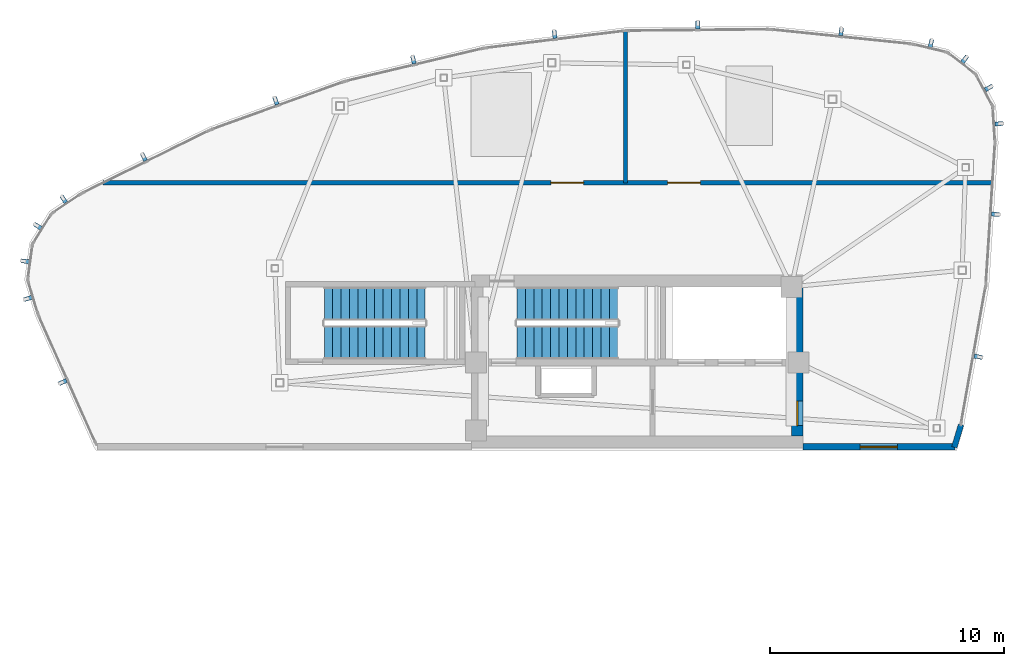
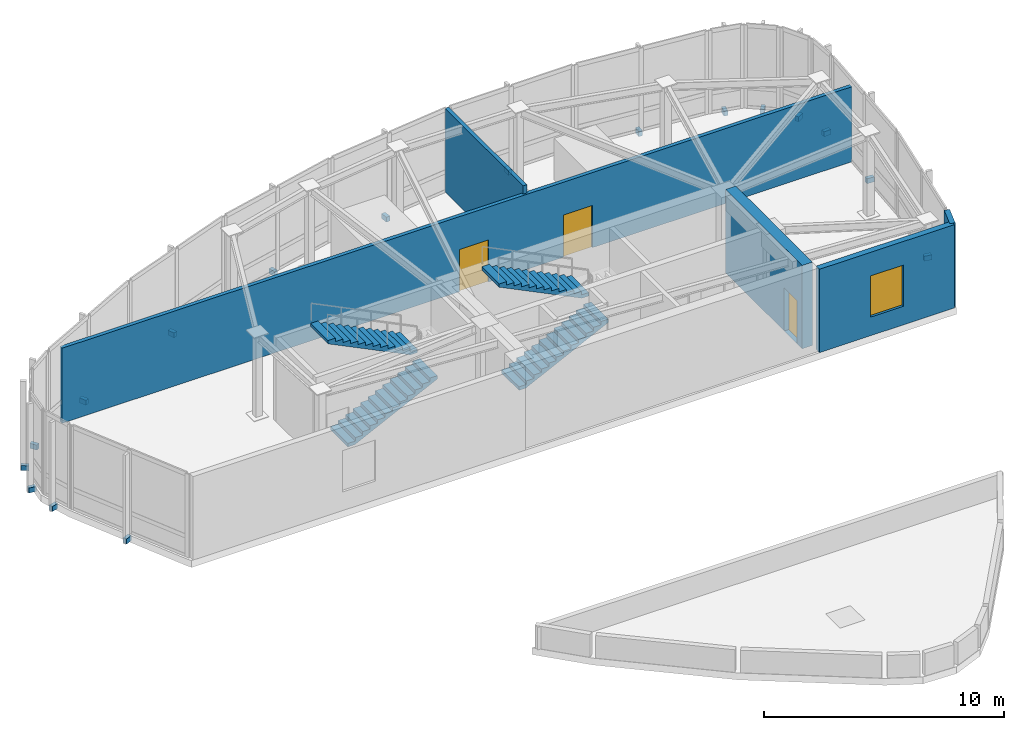
# One storey, part 8 of 11: 17 discrete accessories, 5 walls, 4 stair flights, 3 doors, 1 window, 4 openings, 2 elements without a shape of their own.
"""IFC4 building model written with IfcOpenShell, lengths in metres."""

import ifcopenshell
import ifcopenshell.guid

model = None  # the IFC model being written
_history = None  # IfcOwnerHistory: only IFC2X3 demands one
_inside = {}  # id of a spatial element -> (the spatial element, [elements in it])
_under = {}  # id of a project, library or spatial element -> (it, [spatial elements below it])
_declared = {}  # id of a project -> (the project, [libraries it declares])
_typed = {}  # id of a type object -> (the type object, [elements of that type])
_made_of = {}  # id of a material, layer set ... -> (it, [elements and type objects made of it])


def new_model(schema):
    """Start an empty IFC model of exactly this schema.

    Asked for "IFC4X3", IfcOpenShell would pick the latest addendum, in which some entities
    have other attributes; the version numbers below select the first issue.
    IFC2X3 requires an IfcOwnerHistory on every rooted entity: one is made here for all.
    """
    global model, _history
    if schema == "IFC4X3":
        model = ifcopenshell.file(schema_version=(4, 3, 0, 0))
    else:
        model = ifcopenshell.file(schema=schema)
    _inside.clear()
    _under.clear()
    _declared.clear()
    _typed.clear()
    _made_of.clear()
    _history = None
    if model.schema == "IFC2X3":
        org = make("IfcOrganization", Name="unknown")
        user = make(
            "IfcPersonAndOrganization",
            ThePerson=make("IfcPerson", FamilyName="unknown"),
            TheOrganization=org,
        )
        app = make(
            "IfcApplication",
            ApplicationDeveloper=org,
            Version="unknown",
            ApplicationFullName="unknown",
            ApplicationIdentifier="unknown",
        )
        _history = make(
            "IfcOwnerHistory",
            OwningUser=user,
            OwningApplication=app,
            ChangeAction="ADDED",
            CreationDate=0,
        )
    return model


def make(cls, **values):
    """One entity of the class cls with the attributes given. An attribute that is None is left unset."""
    return model.create_entity(
        cls, **{name: value for name, value in values.items() if value is not None}
    )


def rooted(cls, **values):
    """An entity with a GlobalId (a new one), such as an element, a storey or a relation."""
    return make(cls, GlobalId=ifcopenshell.guid.new(), OwnerHistory=_history, **values)


def si_unit(unit_type, name, prefix=None):
    """IfcSIUnit, for example si_unit("LENGTHUNIT", "METRE", prefix="MILLI")."""
    return make("IfcSIUnit", UnitType=unit_type, Prefix=prefix, Name=name)


def assignment(units):
    """IfcUnitAssignment: the units of a project."""
    return None if units is None else make("IfcUnitAssignment", Units=units)


def point(xyz):
    """IfcCartesianPoint."""
    return None if xyz is None else make("IfcCartesianPoint", Coordinates=xyz)


def direction(xyz):
    """IfcDirection."""
    return None if xyz is None else make("IfcDirection", DirectionRatios=xyz)


def frame(location, z_axis=None, x_axis=None):
    """IfcAxis2Placement3D, a coordinate frame: its origin and axes. An axis left out is left unset."""
    return make(
        "IfcAxis2Placement3D",
        Location=point(location),
        Axis=direction(z_axis),
        RefDirection=direction(x_axis),
    )


def frame_2d(location, x_axis=None):
    """IfcAxis2Placement2D, a coordinate frame in the plane: its origin and x axis."""
    return make(
        "IfcAxis2Placement2D", Location=point(location), RefDirection=direction(x_axis)
    )


def origin():
    """The frame at (0, 0, 0) with its axes left unset."""
    return frame((0.0, 0.0, 0.0))


def origin_2d():
    """The frame at (0, 0) in the plane with its x axis left unset."""
    return frame_2d((0.0, 0.0))


def place(relative_to, where):
    """IfcLocalPlacement: puts the frame where relative to a parent placement (None: the world)."""
    return make(
        "IfcLocalPlacement", PlacementRelTo=relative_to, RelativePlacement=where
    )


def context(
    kind, dimensions, precision=None, world=None, true_north=None, identifier=None
):
    """IfcGeometricRepresentationContext, for example the 3D "Model" context."""
    return make(
        "IfcGeometricRepresentationContext",
        ContextIdentifier=identifier,
        ContextType=kind,
        CoordinateSpaceDimension=dimensions,
        Precision=precision,
        WorldCoordinateSystem=world,
        TrueNorth=true_north,
    )


def subcontext(parent, identifier, kind, view, scale=None):
    """IfcGeometricRepresentationSubContext, for example "Body" below "Model"."""
    return make(
        "IfcGeometricRepresentationSubContext",
        ContextIdentifier=identifier,
        ContextType=kind,
        ParentContext=parent,
        TargetScale=scale,
        TargetView=view,
    )


def project(units=None, contexts=None):
    """IfcProject with its units and contexts."""
    return rooted(
        "IfcProject",
        Name="project",
        RepresentationContexts=contexts,
        UnitsInContext=assignment(units),
    )


def spatial(cls, under=None, at=None, **own):
    """A site, building, storey or space (cls), placed at a placement, below another one or the project."""
    s = rooted(cls, ObjectPlacement=at, **own)
    if under is not None:
        _under.setdefault(under.id(), (under, []))[1].append(s)
    return s


def polyline(points):
    """IfcPolyline through the points."""
    return make("IfcPolyline", Points=[point(p) for p in points])


def profile(cls, at=None, kind="AREA", **sizes):
    """A parametric profile (cls). Its sizes go by their IFC names, for example OverallWidth=200.0."""
    return make(cls, ProfileType=kind, Position=at, **sizes)


def rectangle(**sizes):
    """IfcRectangleProfileDef."""
    return profile("IfcRectangleProfileDef", **sizes)


def outline(outer, holes=None, kind="AREA"):
    """IfcArbitraryClosedProfileDef: a profile drawn as a closed curve; with holes, ...WithVoids."""
    if holes is None:
        return make("IfcArbitraryClosedProfileDef", ProfileType=kind, OuterCurve=outer)
    return make(
        "IfcArbitraryProfileDefWithVoids",
        ProfileType=kind,
        OuterCurve=outer,
        InnerCurves=holes,
    )


def extrude(swept, where, along, depth):
    """IfcExtrudedAreaSolid: the profile swept, set in the frame where, extruded along a direction by depth."""
    return make(
        "IfcExtrudedAreaSolid",
        SweptArea=swept,
        Position=where,
        ExtrudedDirection=direction(along),
        Depth=depth,
    )


def shape(context_of_items, identifier, shape_type, items):
    """IfcShapeRepresentation: the items that make up one representation, for example the "Body"."""
    return make(
        "IfcShapeRepresentation",
        ContextOfItems=context_of_items,
        RepresentationIdentifier=identifier,
        RepresentationType=shape_type,
        Items=items,
    )


def source(mapping_origin, context_of_items, identifier, shape_type, items):
    """IfcRepresentationMap: a shape defined once, which mapped items show again and again."""
    return make(
        "IfcRepresentationMap",
        MappingOrigin=mapping_origin,
        MappedRepresentation=shape(context_of_items, identifier, shape_type, items),
    )


def transform(
    local_origin,
    x_axis=None,
    y_axis=None,
    z_axis=None,
    scale=None,
    scale2=None,
    scale3=None,
    uniform=True,
):
    """IfcCartesianTransformationOperator3D, or its non-uniform kind. x_axis, y_axis, z_axis: its Axis1, 2, 3."""
    if uniform:
        return make(
            "IfcCartesianTransformationOperator3D",
            Axis1=direction(x_axis),
            Axis2=direction(y_axis),
            LocalOrigin=point(local_origin),
            Scale=scale,
            Axis3=direction(z_axis),
        )
    return make(
        "IfcCartesianTransformationOperator3DnonUniform",
        Axis1=direction(x_axis),
        Axis2=direction(y_axis),
        LocalOrigin=point(local_origin),
        Scale=scale,
        Axis3=direction(z_axis),
        Scale2=scale2,
        Scale3=scale3,
    )


def mapped(mapping_source, mapping_target):
    """IfcMappedItem: shows the shape of a source again, moved by a transform."""
    return make(
        "IfcMappedItem", MappingSource=mapping_source, MappingTarget=mapping_target
    )


def material(Name=None, Category=None):
    """IfcMaterial."""
    return make("IfcMaterial", Name=Name, Category=Category)


def layer(
    of_material, thickness, ventilated=None, Name=None, Category=None, Priority=None
):
    """IfcMaterialLayer: one layer of a wall or slab, of a material (None: an air gap)."""
    return make(
        "IfcMaterialLayer",
        Material=of_material,
        LayerThickness=thickness,
        IsVentilated=ventilated,
        Name=Name,
        Category=Category,
        Priority=Priority,
    )


def layer_set(layers, Name=None):
    """IfcMaterialLayerSet."""
    return make("IfcMaterialLayerSet", MaterialLayers=layers, LayerSetName=Name)


def made_of(thing, what):
    """Note that an element or type object is made of a material, layer set ...; save() writes the relation."""
    if what is not None:
        _made_of.setdefault(what.id(), (what, []))[1].append(thing)
    return thing


def type_object(cls, material=None, **own):
    """A type object (cls), such as IfcWallType, which elements share."""
    return made_of(rooted(cls, **own), material)


def type_shapes(of_type, sources):
    """Give a type object the sources (RepresentationMaps) that its elements show as mapped items."""
    of_type.RepresentationMaps = sources


def element(
    cls,
    number,
    at=None,
    inside=None,
    cuts=None,
    type_object=None,
    material=None,
    context=None,
    identifier="Body",
    shape_type=None,
    held_by="IfcProductDefinitionShape",
    body=None,
    shapes=None,
    **own,
):
    """One element of the class cls, such as IfcWall. Its Tag is "e" and its number.

    at: its placement. inside: the storey or other place that contains it. cuts: it is an
    opening in that element (IfcRelVoidsElement). A single representation is given by context,
    identifier, shape_type and body (its items); several are given by shapes. held_by: the class
    of the entity that holds the representations. save() writes the other relations.
    """
    e = rooted(cls, Tag="e%d" % number, ObjectPlacement=at, **own)
    if body is not None:
        shapes = [shape(context, identifier, shape_type, body)]
    if shapes is not None:
        e.Representation = make(held_by, Representations=shapes)
    if inside is not None:
        _inside.setdefault(inside.id(), (inside, []))[1].append(e)
    if cuts is not None:
        rooted(
            "IfcRelVoidsElement", RelatingBuildingElement=cuts, RelatedOpeningElement=e
        )
    if type_object is not None:
        _typed.setdefault(type_object.id(), (type_object, []))[1].append(e)
    return made_of(e, material)


def fill(opening, filler):
    """IfcRelFillsElement: the door or window that sits in an opening."""
    return rooted(
        "IfcRelFillsElement",
        RelatingOpeningElement=opening,
        RelatedBuildingElement=filler,
    )


def aggregate(whole, parts):
    """IfcRelAggregates: a whole, such as a stair, and the parts it consists of."""
    return rooted("IfcRelAggregates", RelatingObject=whole, RelatedObjects=parts)


def save(model, path):
    """Write the relations noted so far, then the file.

    IfcRelAggregates (storeys below a building ...), IfcRelContainedInSpatialStructure (elements
    in a storey), IfcRelDefinesByType, IfcRelAssociatesMaterial and IfcRelDeclares: one each for
    every whole, place, type object, material and project.
    """
    for whole, parts in _under.values():
        aggregate(whole, parts)
    for where, things in _inside.values():
        rooted(
            "IfcRelContainedInSpatialStructure",
            RelatedElements=things,
            RelatingStructure=where,
        )
    for kind, things in _typed.values():
        rooted("IfcRelDefinesByType", RelatedObjects=things, RelatingType=kind)
    for what, things in _made_of.values():
        rooted("IfcRelAssociatesMaterial", RelatedObjects=things, RelatingMaterial=what)
    for by, libraries in _declared.values():
        rooted("IfcRelDeclares", RelatingContext=by, RelatedDefinitions=libraries)
    model.write(path)


model = new_model("IFC4")

# Units and contexts
model_context = context("Model", 3, precision=1e-05, world=origin(), true_north=direction((0.0, 1.0)))
body_context = subcontext(model_context, "Body", "Model", "MODEL_VIEW")
ifc_project = project(units=[si_unit("LENGTHUNIT", "METRE"), si_unit("AREAUNIT", "SQUARE_METRE"), si_unit("VOLUMEUNIT", "CUBIC_METRE"), si_unit("PLANEANGLEUNIT", "RADIAN"), si_unit("MASSUNIT", "GRAM", prefix="KILO")], contexts=[model_context])

# Site, building, storey
site_placement = place(None, origin())
site = spatial("IfcSite", under=ifc_project, at=site_placement, CompositionType="ELEMENT")
building_placement = place(site_placement, origin())
building = spatial("IfcBuilding", under=site, at=building_placement, Name="Tavelor Broadcast Tower", CompositionType="ELEMENT")
storey_placement = place(building_placement, frame((0.0, 0.0, 345.89990234375)))
storey = spatial("IfcBuildingStorey", under=building, at=storey_placement, Name="L82", CompositionType="ELEMENT", Elevation=345.89990234375)

# Wall, opening, door
ifc_material_1 = material(Name="Concrete C50/60", Category="concrete")
ifc_layer_1 = layer(ifc_material_1, 0.5)
ifc_layer_set_1 = layer_set([ifc_layer_1], Name="Concrete C50/60")
wall_type_1 = type_object("IfcWallType", Name="Core Shear Wall 500 mm", PredefinedType="SHEAR", material=ifc_layer_set_1)
wall_1_placement = place(storey_placement, frame((56.85009765625, 44.800048828125, 0.0), z_axis=(0.0, 0.0, 1.0), x_axis=(0.0, 1.0, 0.0)))
wall_1 = element("IfcWall", 1, at=wall_1_placement, inside=storey, type_object=wall_type_1, Name="L82 Central Core Shear Wall E", PredefinedType="SHEAR", context=body_context, shape_type="SweptSolid", body=[
    extrude(rectangle(XDim=6.39990234375, YDim=0.5, at=frame_2d((3.199951171875, 0.0))), origin(), (0.0, 0.0, 1.0), 4.25),
])
opening_1_placement = place(wall_1_placement, frame((0.449951171875, 0.0, 0.0)))
opening_1 = element("IfcOpeningElement", 2, at=opening_1_placement, cuts=wall_1, Name="Opening DR11", PredefinedType="OPENING", context=body_context, shape_type="SweptSolid", body=[
    extrude(rectangle(XDim=1.050048828125, YDim=2.199951171875, at=frame_2d((0.52490234375, 1.10009765625))), frame((0.0, 0.260009765625, 0.0), z_axis=(0.0, -1.0, 0.0), x_axis=(1.0, 0.0, 0.0)), (0.0, 0.0, 1.0), 0.52001953125),
])
ifc_material_2 = material(Name="Steel S355", Category="steel")
door_type_1 = type_object("IfcDoorType", Name="Stair Core Fire Escape Door 1050x2200", OperationType="NOTDEFINED", PredefinedType="DOOR", material=ifc_material_2)
door_1_placement = place(opening_1_placement, origin())
door_1 = element("IfcDoor", 3, at=door_1_placement, inside=storey, type_object=door_type_1, Name="L82 Crown Core East Lobby Door", OperationType="SINGLE_SWING_LEFT", OverallHeight=2.199951171875, OverallWidth=1.050048828125, PredefinedType="DOOR", context=body_context, shape_type="SweptSolid", body=[
    extrude(rectangle(XDim=1.050048828125, YDim=2.199951171875, at=frame_2d((0.52490234375, 1.10009765625))), frame((0.0, 0.02490234375, 0.0), z_axis=(0.0, -1.0, 0.0), x_axis=(1.0, 0.0, 0.0)), (0.0, 0.0, 1.0), 0.050048828125),
])
fill(opening_1, door_1)

# Wall
ifc_material_3 = material(Name="Calcium Silicate Fire Board 180 mm", Category="gypsum")
ifc_layer_2 = layer(ifc_material_3, 0.179931640625)
ifc_layer_set_2 = layer_set([ifc_layer_2], Name="Calcium Silicate Fire Board 180 mm")
wall_type_2 = type_object("IfcWallType", Name="Fire-Rated Corridor Partition Wall 180 mm", PredefinedType="PARTITIONING", material=ifc_layer_set_2)
wall_2_placement = place(storey_placement, frame((49.5, 55.64990234375, 0.0), z_axis=(0.0, 0.0, 1.0), x_axis=(0.0, 1.0, 0.0)))
element("IfcWall", 4, at=wall_2_placement, inside=storey, type_object=wall_type_2, Name="L82 Crown Peak A Plant Divider", PredefinedType="PARTITIONING", context=body_context, shape_type="SweptSolid", body=[
    extrude(rectangle(XDim=6.5087890625, YDim=0.179931640625, at=frame_2d((3.25439453125, 0.0))), origin(), (0.0, 0.0, 1.0), 4.25),
])

# Wall, openings, doors
wall_3_placement = place(storey_placement, frame((27.13330078125, 55.64990234375, 0.0), z_axis=(0.0, 0.0, 1.0), x_axis=(1.0, 0.0, 0.0)))
wall_3 = element("IfcWall", 5, at=wall_3_placement, inside=storey, type_object=wall_type_2, Name="L82 Peak A Plant Corridor Wall", PredefinedType="PARTITIONING", context=body_context, shape_type="SweptSolid", body=[
    extrude(rectangle(XDim=38.076904296875, YDim=0.179931640625, at=frame_2d((19.03857421875, 0.0))), origin(), (0.0, 0.0, 1.0), 3.8251953125),
])
opening_2_placement = place(wall_3_placement, frame((19.16650390625, 0.0, 0.0)))
opening_2 = element("IfcOpeningElement", 6, at=opening_2_placement, cuts=wall_3, Name="Opening DR41", PredefinedType="OPENING", context=body_context, shape_type="SweptSolid", body=[
    extrude(rectangle(XDim=1.39990234375, YDim=2.14990234375, at=frame_2d((0.699951171875, 1.074951171875))), frame((0.0, 0.10009765625, 0.0), z_axis=(0.0, -1.0, 0.0), x_axis=(1.0, 0.0, 0.0)), (0.0, 0.0, 1.0), 0.199951171875),
])
opening_3_placement = place(wall_3_placement, frame((24.16650390625, 0.0, 0.0)))
opening_3 = element("IfcOpeningElement", 7, at=opening_3_placement, cuts=wall_3, Name="Opening DR41", PredefinedType="OPENING", context=body_context, shape_type="SweptSolid", body=[
    extrude(rectangle(XDim=1.39990234375, YDim=2.14990234375, at=frame_2d((0.699951171875, 1.074951171875))), frame((0.0, 0.10009765625, 0.0), z_axis=(0.0, -1.0, 0.0), x_axis=(1.0, 0.0, 0.0)), (0.0, 0.0, 1.0), 0.199951171875),
])
door_type_2 = type_object("IfcDoorType", Name="Plant Room Double Fire Door 1400x2150", OperationType="NOTDEFINED", PredefinedType="DOOR", material=ifc_material_2)
door_2_placement = place(opening_2_placement, origin())
door_2 = element("IfcDoor", 8, at=door_2_placement, inside=storey, type_object=door_type_2, Name="L82 Broadcast Chiller Plant Door", OperationType="SINGLE_SWING_LEFT", OverallHeight=2.14990234375, OverallWidth=1.39990234375, PredefinedType="DOOR", context=body_context, shape_type="SweptSolid", body=[
    extrude(rectangle(XDim=1.39990234375, YDim=2.14990234375, at=frame_2d((0.699951171875, 1.074951171875))), frame((0.0, 0.02490234375, 0.0), z_axis=(0.0, -1.0, 0.0), x_axis=(1.0, 0.0, 0.0)), (0.0, 0.0, 1.0), 0.050048828125),
])
fill(opening_2, door_2)
door_3_placement = place(opening_3_placement, origin())
door_3 = element("IfcDoor", 9, at=door_3_placement, inside=storey, type_object=door_type_2, Name="L82 Emergency Switchgear and AHU Plant Door", OperationType="SINGLE_SWING_RIGHT", OverallHeight=2.14990234375, OverallWidth=1.39990234375, PredefinedType="DOOR", context=body_context, shape_type="SweptSolid", body=[
    extrude(rectangle(XDim=1.39990234375, YDim=2.14990234375, at=frame_2d((0.699951171875, 1.074951171875))), frame((0.0, 0.02490234375, 0.0), z_axis=(0.0, -1.0, 0.0), x_axis=(1.0, 0.0, 0.0)), (0.0, 0.0, 1.0), 0.050048828125),
])
fill(opening_3, door_3)

# Wall, opening, window
ifc_material_4 = material(Name="Precast Concrete C40/50", Category="concrete")
ifc_layer_3 = layer(ifc_material_4, 0.280029296875)
ifc_layer_set_3 = layer_set([ifc_layer_3], Name="Precast Concrete C40/50")
wall_type_3 = type_object("IfcWallType", Name="Insulated Precast Terracotta Facade Wall 280 mm", PredefinedType="STANDARD", material=ifc_layer_set_3)
wall_4_placement = place(storey_placement, frame((57.090087890625, 44.340087890625, 0.0), z_axis=(0.0, 0.0, 1.0), x_axis=(1.0, 0.0, 0.0)))
wall_4 = element("IfcWall", 10, at=wall_4_placement, inside=storey, type_object=wall_type_3, Name="L82 Crown Peak A Sky-Slot Wall 01.2", PredefinedType="STANDARD", context=body_context, shape_type="SweptSolid", body=[
    extrude(rectangle(XDim=6.505615234375, YDim=0.280029296875, at=frame_2d((3.2529296875, 0.0))), origin(), (0.0, 0.0, 1.0), 4.25),
])
opening_4_placement = place(wall_4_placement, frame((2.452880859375, 0.0, 0.949951171875)))
opening_4 = element("IfcOpeningElement", 11, at=opening_4_placement, cuts=wall_4, Name="Opening WN29", PredefinedType="OPENING", context=body_context, shape_type="SweptSolid", body=[
    extrude(rectangle(XDim=1.60009765625, YDim=2.10009765625, at=frame_2d((0.800048828125, 1.050048828125))), frame((0.0, 0.14990234375, 0.0), z_axis=(0.0, -1.0, 0.0), x_axis=(1.0, 0.0, 0.0)), (0.0, 0.0, 1.0), 0.300048828125),
])
ifc_material_5 = material(Name="Acoustic Double Glazing 28 mm", Category="glass")
window_type = type_object("IfcWindowType", Name="Crown Beacon Observation Window 1600x2100", PartitioningType="SINGLE_PANEL", PredefinedType="WINDOW", material=ifc_material_5)
window_placement = place(opening_4_placement, origin())
window = element("IfcWindow", 12, at=window_placement, inside=storey, type_object=window_type, Name="L82 Crown Sky-Slot Observation Window A01.2", OverallHeight=2.10009765625, OverallWidth=1.60009765625, PartitioningType="SINGLE_PANEL", PredefinedType="WINDOW", context=body_context, shape_type="SweptSolid", body=[
    extrude(rectangle(XDim=1.60009765625, YDim=2.10009765625, at=frame_2d((0.800048828125, 1.050048828125))), frame((0.0, 0.030029296875, 0.0), z_axis=(0.0, -1.0, 0.0), x_axis=(1.0, 0.0, 0.0)), (0.0, 0.0, 1.0), 0.06005859375),
])
fill(opening_4, window)

# Wall
ifc_layer_4 = layer(ifc_material_4, 0.239990234375)
ifc_layer_set_4 = layer_set([ifc_layer_4], Name="Precast Concrete C40/50")
wall_type_4 = type_object("IfcWallType", Name="Roof and Terrace Perimeter Parapet Wall 240 mm", PredefinedType="PARAPET", material=ifc_layer_set_4)
wall_5_placement = place(storey_placement, frame((63.576416015625, 44.32568359375, 0.0), z_axis=(0.0, 0.0, 1.0), x_axis=(0.285533140821, 0.958368835831, 0.0)))
element("IfcWall", 13, at=wall_5_placement, inside=storey, type_object=wall_type_4, Name="L82 Crown Peak A Rounded Apex Pier 02", PredefinedType="PARAPET", context=body_context, shape_type="SweptSolid", body=[
    extrude(rectangle(XDim=1.012451171875, YDim=0.239990234375, at=frame_2d((0.50634765625, 0.0))), origin(), (0.0, 0.0, 1.0), 4.25),
])

# Stair, stair flights
ifc_material_6 = material(Name="Concrete C40/50", Category="concrete")
stair_type = type_object("IfcStairType", Name="Reinforced Concrete Protected Dogleg Stair 1450 mm", PredefinedType="HALF_TURN_STAIR", material=ifc_material_6)
stair_1_placement = place(storey_placement, origin())
stair_1 = element("IfcStair", 14, at=stair_1_placement, inside=storey, type_object=stair_type, Name="L82 Protected Core Exit Stair ST1", PredefinedType="HALF_TURN_STAIR")
stair_flight_type = type_object("IfcStairFlightType", Name="Reinforced Concrete Stair Flight 1450 mm", PredefinedType="STRAIGHT", material=ifc_material_6)
stair_flight_1_placement = place(storey_placement, frame((44.85009765625, 48.824951171875, 0.0), z_axis=(0.0, 0.0, 1.0), x_axis=(1.0, 0.0, 0.0)))
stair_flight_1 = element("IfcStairFlight", 15, at=stair_flight_1_placement, type_object=stair_flight_type, Name="ST1 flight 1", NumberOfRisers=13, NumberOfTreads=12, PredefinedType="STRAIGHT", RiserHeight=0.176923077, TreadLength=0.36, context=body_context, shape_type="SweptSolid", body=[
    extrude(outline(polyline([(0.0, 0.0), (0.0, 0.177001953125), (0.360107421875, 0.177001953125), (0.360107421875, 0.353759765625), (0.719970703125, 0.353759765625), (0.719970703125, 0.53076171875), (1.080078125, 0.53076171875), (1.080078125, 0.707763671875), (1.43994140625, 0.707763671875), (1.43994140625, 0.884521484375), (1.800048828125, 0.884521484375), (1.800048828125, 1.0615234375), (2.159912109375, 1.0615234375), (2.159912109375, 1.238525390625), (2.52001953125, 1.238525390625), (2.52001953125, 1.415283203125), (2.8798828125, 1.415283203125), (2.8798828125, 1.59228515625), (3.239990234375, 1.59228515625), (3.239990234375, 1.769287109375), (3.60009765625, 1.769287109375), (3.60009765625, 1.946044921875), (3.9599609375, 1.946044921875), (3.9599609375, 2.123046875), (4.320068359375, 2.123046875), (4.320068359375, 2.300048828125), (4.320068359375, 1.9560546875), (0.33984375, 0.0), (0.0, 0.0)])), frame((0.0, 0.72509765625, 0.0), z_axis=(0.0, -1.0, 0.0), x_axis=(1.0, 0.0, 0.0)), (0.0, 0.0, 1.0), 1.449951171875),
])
stair_flight_2_placement = place(storey_placement, frame((49.169921875, 50.47509765625, 2.300048828125), z_axis=(0.0, 0.0, 1.0), x_axis=(-1.0, 0.0, 0.0)))
stair_flight_2 = element("IfcStairFlight", 16, at=stair_flight_2_placement, type_object=stair_flight_type, Name="ST1 flight 2", NumberOfRisers=13, NumberOfTreads=12, PredefinedType="STRAIGHT", RiserHeight=0.176923077, TreadLength=0.36, context=body_context, shape_type="SweptSolid", body=[
    extrude(outline(polyline([(0.0, 0.0), (0.0, 0.177001953125), (0.360107421875, 0.177001953125), (0.360107421875, 0.353759765625), (0.719970703125, 0.353759765625), (0.719970703125, 0.53076171875), (1.080078125, 0.53076171875), (1.080078125, 0.707763671875), (1.43994140625, 0.707763671875), (1.43994140625, 0.884521484375), (1.800048828125, 0.884521484375), (1.800048828125, 1.0615234375), (2.159912109375, 1.0615234375), (2.159912109375, 1.238525390625), (2.52001953125, 1.238525390625), (2.52001953125, 1.415283203125), (2.8798828125, 1.415283203125), (2.8798828125, 1.59228515625), (3.239990234375, 1.59228515625), (3.239990234375, 1.769287109375), (3.60009765625, 1.769287109375), (3.60009765625, 1.946044921875), (3.9599609375, 1.946044921875), (3.9599609375, 2.123046875), (4.320068359375, 2.123046875), (4.320068359375, 2.300048828125), (4.320068359375, 1.9560546875), (0.33984375, 0.0), (0.0, 0.0)])), frame((0.0, 0.72509765625, 0.0), z_axis=(0.0, -1.0, 0.0), x_axis=(1.0, 0.0, 0.0)), (0.0, 0.0, 1.0), 1.449951171875),
])
aggregate(stair_1, [stair_flight_1, stair_flight_2])

stair_2_placement = place(storey_placement, origin())
stair_2 = element("IfcStair", 17, at=stair_2_placement, inside=storey, type_object=stair_type, Name="L82 Crown Peak A Plant Stair ST5", PredefinedType="HALF_TURN_STAIR")
stair_flight_3_placement = place(storey_placement, frame((36.60009765625, 48.824951171875, 0.0), z_axis=(0.0, 0.0, 1.0), x_axis=(1.0, 0.0, 0.0)))
stair_flight_3 = element("IfcStairFlight", 18, at=stair_flight_3_placement, type_object=stair_flight_type, Name="ST5 flight 1", NumberOfRisers=13, NumberOfTreads=12, PredefinedType="STRAIGHT", RiserHeight=0.176923077, TreadLength=0.36, context=body_context, shape_type="SweptSolid", body=[
    extrude(outline(polyline([(0.0, 0.0), (0.0, 0.177001953125), (0.360107421875, 0.177001953125), (0.360107421875, 0.353759765625), (0.719970703125, 0.353759765625), (0.719970703125, 0.53076171875), (1.080078125, 0.53076171875), (1.080078125, 0.707763671875), (1.43994140625, 0.707763671875), (1.43994140625, 0.884521484375), (1.800048828125, 0.884521484375), (1.800048828125, 1.0615234375), (2.159912109375, 1.0615234375), (2.159912109375, 1.238525390625), (2.52001953125, 1.238525390625), (2.52001953125, 1.415283203125), (2.8798828125, 1.415283203125), (2.8798828125, 1.59228515625), (3.239990234375, 1.59228515625), (3.239990234375, 1.769287109375), (3.60009765625, 1.769287109375), (3.60009765625, 1.946044921875), (3.9599609375, 1.946044921875), (3.9599609375, 2.123046875), (4.320068359375, 2.123046875), (4.320068359375, 2.300048828125), (4.320068359375, 1.9560546875), (0.33984375, 0.0), (0.0, 0.0)])), frame((0.0, 0.72509765625, 0.0), z_axis=(0.0, -1.0, 0.0), x_axis=(1.0, 0.0, 0.0)), (0.0, 0.0, 1.0), 1.449951171875),
])
stair_flight_4_placement = place(storey_placement, frame((40.919921875, 50.47509765625, 2.300048828125), z_axis=(0.0, 0.0, 1.0), x_axis=(-1.0, 0.0, 0.0)))
stair_flight_4 = element("IfcStairFlight", 19, at=stair_flight_4_placement, type_object=stair_flight_type, Name="ST5 flight 2", NumberOfRisers=13, NumberOfTreads=12, PredefinedType="STRAIGHT", RiserHeight=0.176923077, TreadLength=0.36, context=body_context, shape_type="SweptSolid", body=[
    extrude(outline(polyline([(0.0, 0.0), (0.0, 0.177001953125), (0.360107421875, 0.177001953125), (0.360107421875, 0.353759765625), (0.719970703125, 0.353759765625), (0.719970703125, 0.53076171875), (1.080078125, 0.53076171875), (1.080078125, 0.707763671875), (1.43994140625, 0.707763671875), (1.43994140625, 0.884521484375), (1.800048828125, 0.884521484375), (1.800048828125, 1.0615234375), (2.159912109375, 1.0615234375), (2.159912109375, 1.238525390625), (2.52001953125, 1.238525390625), (2.52001953125, 1.415283203125), (2.8798828125, 1.415283203125), (2.8798828125, 1.59228515625), (3.239990234375, 1.59228515625), (3.239990234375, 1.769287109375), (3.60009765625, 1.769287109375), (3.60009765625, 1.946044921875), (3.9599609375, 1.946044921875), (3.9599609375, 2.123046875), (4.320068359375, 2.123046875), (4.320068359375, 2.300048828125), (4.320068359375, 1.9560546875), (0.33984375, 0.0), (0.0, 0.0)])), frame((0.0, 0.72509765625, 0.0), z_axis=(0.0, -1.0, 0.0), x_axis=(1.0, 0.0, 0.0)), (0.0, 0.0, 1.0), 1.449951171875),
])
aggregate(stair_2, [stair_flight_3, stair_flight_4])

# Discrete accessories
discrete_accessory_type = type_object("IfcDiscreteAccessoryType", Name="Stainless Baguette Outrigger Support Bracket 260x180", PredefinedType="BRACKET", material=ifc_material_2)
shared_shape = source(origin(), body_context, "Body", "SweptSolid", [
    extrude(rectangle(XDim=0.179931640625, YDim=0.340087890625, at=origin_2d()), origin(), (0.0, 0.0, 1.0), 0.251953125),
])
type_shapes(discrete_accessory_type, [shared_shape])
for number, where, z_axis, x_axis, name in (
    (20, (64.60107421875, 48.203125, -0.30078125), (0.0, 0.0, 1.0), (0.176225800308, 0.984349768784, 0.0), "L82 Baguette Outrigger Bracket 823"),
    (21, (65.34326171875, 54.3037109375, -0.30078125), (0.0, 0.0, 1.0), (0.064880642578, 0.997893031451, 0.0), "L82 Baguette Outrigger Bracket 824"),
    (22, (65.490234375, 58.178955078125, -0.30078125), (0.0, 0.0, 1.0), (-0.06540312923, 0.997858923239, 0.0), "L82 Baguette Outrigger Bracket 825"),
    (23, (65.05224609375, 59.71630859375, -0.30078125), (0.0, 0.0, 1.0), (-0.470241901057, 0.882537565484, 0.0), "L82 Baguette Outrigger Bracket 826"),
    (24, (64.020751953125, 60.93701171875, -0.30078125), (0.0, 0.0, 1.0), (-0.79175688964, 0.610836334633, 0.0), "L82 Baguette Outrigger Bracket 827"),
    (25, (62.578125, 61.625, -0.30078125), (0.0, 0.0, 1.0), (-0.972977745976, 0.230898908261, 0.0), "L82 Baguette Outrigger Bracket 828"),
    (26, (58.732421875, 62.126220703125, -0.30078125), (0.0, 0.0, 1.0), (-0.99473863788, 0.102445313747, 0.0), "L82 Baguette Outrigger Bracket 829"),
    (27, (52.59375, 62.412109375, -0.30078125), (0.0, 0.0, 1.0), (-0.999953926969, -0.009599163462, 0.0), "L82 Baguette Outrigger Bracket 830"),
    (28, (46.4619140625, 62.00830078125, -0.30078125), (0.0, 0.0, 1.0), (-0.992588631597, -0.121522872021, 0.0), "L82 Baguette Outrigger Bracket 831"),
    (29, (40.41357421875, 60.919921875, -0.30078125), (0.0, 0.0, 1.0), (-0.972694923667, -0.232087452208, 0.0), "L82 Baguette Outrigger Bracket 832"),
    (30, (34.525390625, 59.160888671875, -0.30078125), (0.0, 0.0, 1.0), (-0.94058480613, -0.339558864524, 0.0), "L82 Baguette Outrigger Bracket 833"),
    (31, (28.871337890625, 56.75341796875, -0.30078125), (0.0, 0.0, 1.0), (-0.896641036785, -0.442758231039, 0.0), "L82 Baguette Outrigger Bracket 834"),
    (32, (25.44140625, 54.943115234375, -0.30078125), (0.0, 0.0, 1.0), (-0.831469612303, -0.55557023302, 0.0), "L82 Baguette Outrigger Bracket 835"),
    (33, (24.329345703125, 53.79541015625, -0.30078125), (0.0, 0.0, 1.0), (-0.529179000974, -0.848510214982, 0.0), "L82 Baguette Outrigger Bracket 836"),
    (34, (23.787841796875, 52.29150390625, -0.30078125), (0.0, 0.0, 1.0), (-0.133121338527, -0.991099747366, 0.0), "L82 Baguette Outrigger Bracket 837"),
    (35, (23.913330078125, 50.6982421875, -0.30078125), (0.0, 0.0, 1.0), (0.286524552728, -0.958072899462, 0.0), "L82 Baguette Outrigger Bracket 838"),
    (36, (25.40185546875, 47.116943359375, -0.30078125), (0.0, 0.0, 1.0), (0.408649074736, -0.912691587404, 0.0), "L82 Baguette Outrigger Bracket 839"),
):
    element("IfcDiscreteAccessory", number, at=place(storey_placement, frame(where, z_axis=z_axis, x_axis=x_axis)), inside=storey, type_object=discrete_accessory_type, Name=name, PredefinedType="BRACKET", context=body_context, shape_type="MappedRepresentation", body=[
        mapped(shared_shape, transform((0.0, 0.0, 0.0), scale=1.0)),
    ])

save(model, "model.ifc")
